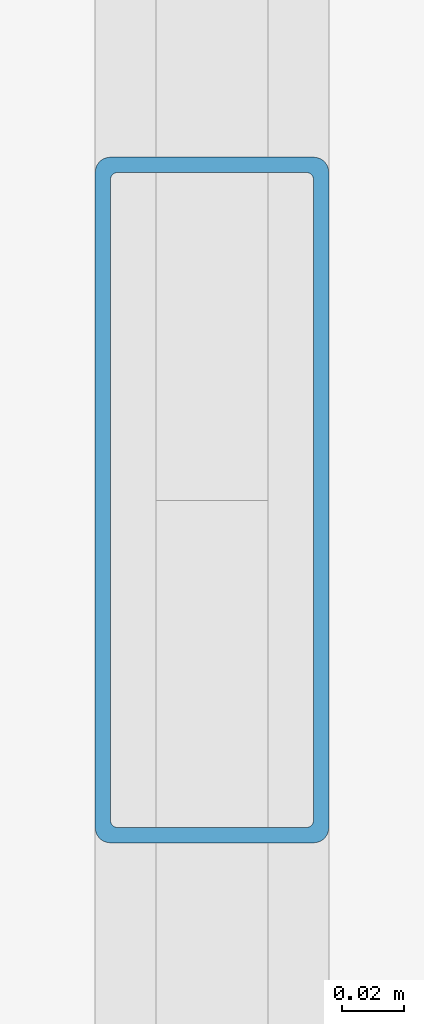
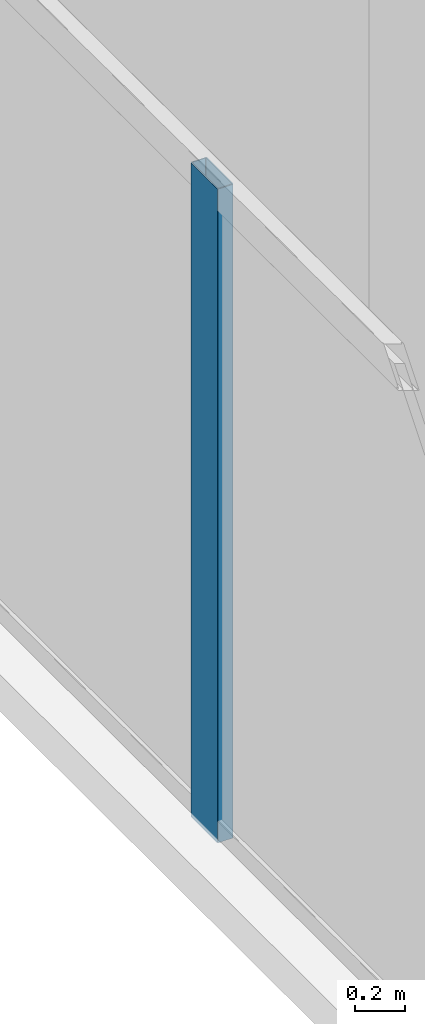
# One storey, part 4 of 17: 1 member, 1 element without a shape of its own.
"""IFC4 building model written with IfcOpenShell, lengths in metres."""

from ifc_helpers import new_model, si_unit, direction, frame, origin, origin_2d, place, context, subcontext, project, spatial, hollow_rectangle, extrude, material, material_profile, profile_set, type_object, element, aggregate, save


model = new_model("IFC4")

# Units and contexts
model_context = context("Model", 3, precision=1e-05, world=origin(), true_north=direction((0.0, 1.0)))
body_context = subcontext(model_context, "Body", "Model", "MODEL_VIEW")
ifc_project = project(units=[si_unit("LENGTHUNIT", "METRE"), si_unit("AREAUNIT", "SQUARE_METRE"), si_unit("VOLUMEUNIT", "CUBIC_METRE"), si_unit("PLANEANGLEUNIT", "RADIAN"), si_unit("MASSUNIT", "GRAM", prefix="KILO")], contexts=[model_context])

# Site, building, storey
site_placement = place(None, origin())
site = spatial("IfcSite", under=ifc_project, at=site_placement, CompositionType="ELEMENT")
building_placement = place(site_placement, origin())
building = spatial("IfcBuilding", under=site, at=building_placement, Name="Noeulbin Bourse Tower", CompositionType="ELEMENT")
storey_placement = place(building_placement, frame((0.0, 0.0, 289.10009765625)))
storey = spatial("IfcBuildingStorey", under=building, at=storey_placement, Name="L72", CompositionType="ELEMENT", Elevation=289.10009765625)

# Curtain wall, member
ifc_material_1 = material(Name="High-Selectivity Low-Iron Glazing", Category="glass")
curtain_wall_type = type_object("IfcCurtainWallType", Name="CW-SYS-4", PredefinedType="NOTDEFINED", material=ifc_material_1)
curtain_wall_placement = place(storey_placement, origin())
curtain_wall = element("IfcCurtainWall", 1, at=curtain_wall_placement, inside=storey, type_object=curtain_wall_type, Name="Unitised Curtain Wall CW-L72-W", PredefinedType="NOTDEFINED")
ifc_material_2 = material(Name="Anodised Aluminium 6063-T6", Category="aluminium")
ifc_material_profile = material_profile(ifc_material_2, hollow_rectangle(XDim=0.074951171875, YDim=0.219970703125, WallThickness=0.0048828125, InnerFilletRadius=0.00244140625, OuterFilletRadius=0.0048828125, at=origin_2d()), Name="ALU-MULL-75x220x5", Category="LoadBearing")
ifc_profile_set = profile_set([ifc_material_profile], Name="Anodised Aluminium 6063-T6")
member_type = type_object("IfcMemberType", Name="CW-SYS-4-MUL", PredefinedType="MULLION", material=ifc_profile_set)
member_placement = place(storey_placement, frame((12.219970703125, 28.97607421875, -0.02001953125), z_axis=(0.0, 0.0, 1.0), x_axis=(1.0, 0.0, 0.0)))
member = element("IfcMember", 2, at=member_placement, type_object=member_type, Name="Curtain Wall Mullion CW-L72-W-M02", PredefinedType="MULLION", context=body_context, shape_type="SweptSolid", body=[
    extrude(hollow_rectangle(XDim=0.074951171875, YDim=0.219970703125, WallThickness=0.0048828125, InnerFilletRadius=0.00244140625, OuterFilletRadius=0.0048828125, at=origin_2d()), origin(), (0.0, 0.0, 1.0), 3.219970703125),
])
aggregate(curtain_wall, [member])

save(model, "model.ifc")
